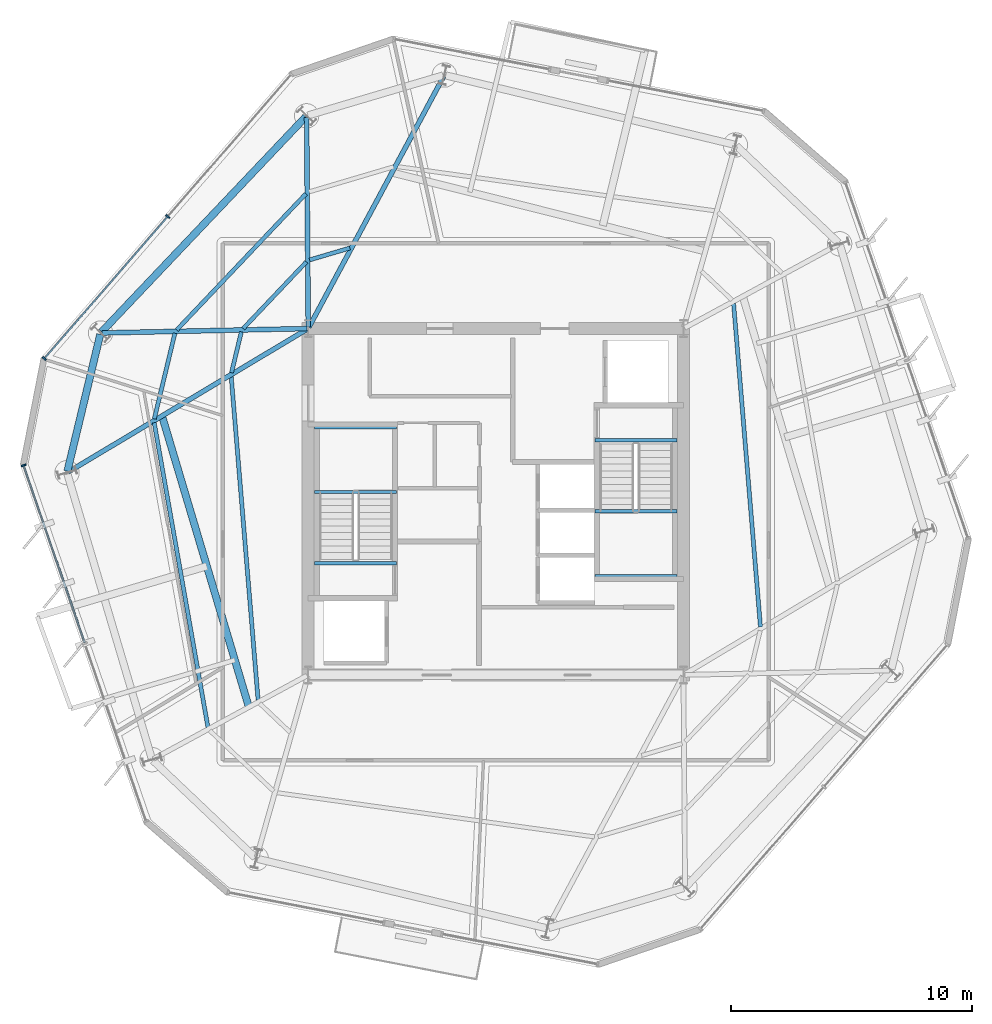
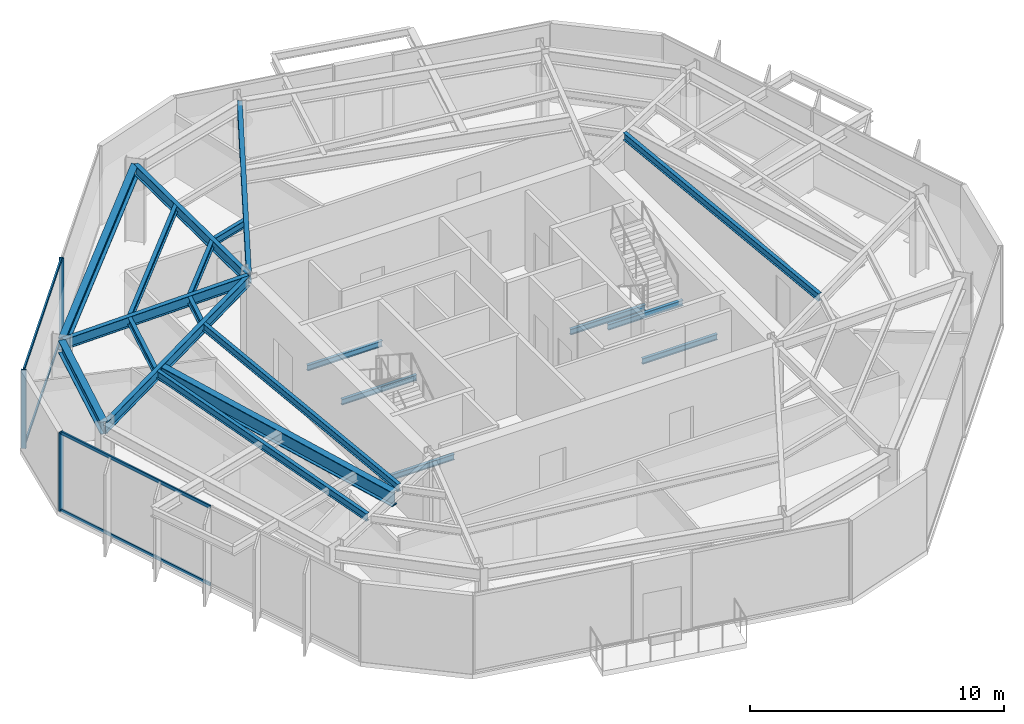
# One storey, part 3 of 11: 21 beams, 7 members, 2 elements without a shape of their own.
"""IFC4 building model written with IfcOpenShell, lengths in metres."""

import ifcopenshell
import ifcopenshell.guid

model = None  # the IFC model being written
_history = None  # IfcOwnerHistory: only IFC2X3 demands one
_inside = {}  # id of a spatial element -> (the spatial element, [elements in it])
_under = {}  # id of a project, library or spatial element -> (it, [spatial elements below it])
_declared = {}  # id of a project -> (the project, [libraries it declares])
_typed = {}  # id of a type object -> (the type object, [elements of that type])
_made_of = {}  # id of a material, layer set ... -> (it, [elements and type objects made of it])


def new_model(schema):
    """Start an empty IFC model of exactly this schema.

    Asked for "IFC4X3", IfcOpenShell would pick the latest addendum, in which some entities
    have other attributes; the version numbers below select the first issue.
    IFC2X3 requires an IfcOwnerHistory on every rooted entity: one is made here for all.
    """
    global model, _history
    if schema == "IFC4X3":
        model = ifcopenshell.file(schema_version=(4, 3, 0, 0))
    else:
        model = ifcopenshell.file(schema=schema)
    _inside.clear()
    _under.clear()
    _declared.clear()
    _typed.clear()
    _made_of.clear()
    _history = None
    if model.schema == "IFC2X3":
        org = make("IfcOrganization", Name="unknown")
        user = make(
            "IfcPersonAndOrganization",
            ThePerson=make("IfcPerson", FamilyName="unknown"),
            TheOrganization=org,
        )
        app = make(
            "IfcApplication",
            ApplicationDeveloper=org,
            Version="unknown",
            ApplicationFullName="unknown",
            ApplicationIdentifier="unknown",
        )
        _history = make(
            "IfcOwnerHistory",
            OwningUser=user,
            OwningApplication=app,
            ChangeAction="ADDED",
            CreationDate=0,
        )
    return model


def make(cls, **values):
    """One entity of the class cls with the attributes given. An attribute that is None is left unset."""
    return model.create_entity(
        cls, **{name: value for name, value in values.items() if value is not None}
    )


def rooted(cls, **values):
    """An entity with a GlobalId (a new one), such as an element, a storey or a relation."""
    return make(cls, GlobalId=ifcopenshell.guid.new(), OwnerHistory=_history, **values)


def si_unit(unit_type, name, prefix=None):
    """IfcSIUnit, for example si_unit("LENGTHUNIT", "METRE", prefix="MILLI")."""
    return make("IfcSIUnit", UnitType=unit_type, Prefix=prefix, Name=name)


def assignment(units):
    """IfcUnitAssignment: the units of a project."""
    return None if units is None else make("IfcUnitAssignment", Units=units)


def point(xyz):
    """IfcCartesianPoint."""
    return None if xyz is None else make("IfcCartesianPoint", Coordinates=xyz)


def direction(xyz):
    """IfcDirection."""
    return None if xyz is None else make("IfcDirection", DirectionRatios=xyz)


def frame(location, z_axis=None, x_axis=None):
    """IfcAxis2Placement3D, a coordinate frame: its origin and axes. An axis left out is left unset."""
    return make(
        "IfcAxis2Placement3D",
        Location=point(location),
        Axis=direction(z_axis),
        RefDirection=direction(x_axis),
    )


def frame_2d(location, x_axis=None):
    """IfcAxis2Placement2D, a coordinate frame in the plane: its origin and x axis."""
    return make(
        "IfcAxis2Placement2D", Location=point(location), RefDirection=direction(x_axis)
    )


def origin():
    """The frame at (0, 0, 0) with its axes left unset."""
    return frame((0.0, 0.0, 0.0))


def origin_2d():
    """The frame at (0, 0) in the plane with its x axis left unset."""
    return frame_2d((0.0, 0.0))


def place(relative_to, where):
    """IfcLocalPlacement: puts the frame where relative to a parent placement (None: the world)."""
    return make(
        "IfcLocalPlacement", PlacementRelTo=relative_to, RelativePlacement=where
    )


def context(
    kind, dimensions, precision=None, world=None, true_north=None, identifier=None
):
    """IfcGeometricRepresentationContext, for example the 3D "Model" context."""
    return make(
        "IfcGeometricRepresentationContext",
        ContextIdentifier=identifier,
        ContextType=kind,
        CoordinateSpaceDimension=dimensions,
        Precision=precision,
        WorldCoordinateSystem=world,
        TrueNorth=true_north,
    )


def subcontext(parent, identifier, kind, view, scale=None):
    """IfcGeometricRepresentationSubContext, for example "Body" below "Model"."""
    return make(
        "IfcGeometricRepresentationSubContext",
        ContextIdentifier=identifier,
        ContextType=kind,
        ParentContext=parent,
        TargetScale=scale,
        TargetView=view,
    )


def project(units=None, contexts=None):
    """IfcProject with its units and contexts."""
    return rooted(
        "IfcProject",
        Name="project",
        RepresentationContexts=contexts,
        UnitsInContext=assignment(units),
    )


def spatial(cls, under=None, at=None, **own):
    """A site, building, storey or space (cls), placed at a placement, below another one or the project."""
    s = rooted(cls, ObjectPlacement=at, **own)
    if under is not None:
        _under.setdefault(under.id(), (under, []))[1].append(s)
    return s


def profile(cls, at=None, kind="AREA", **sizes):
    """A parametric profile (cls). Its sizes go by their IFC names, for example OverallWidth=200.0."""
    return make(cls, ProfileType=kind, Position=at, **sizes)


def rectangle(**sizes):
    """IfcRectangleProfileDef."""
    return profile("IfcRectangleProfileDef", **sizes)


def i_section(**sizes):
    """IfcIShapeProfileDef."""
    return profile("IfcIShapeProfileDef", **sizes)


def extrude(swept, where, along, depth):
    """IfcExtrudedAreaSolid: the profile swept, set in the frame where, extruded along a direction by depth."""
    return make(
        "IfcExtrudedAreaSolid",
        SweptArea=swept,
        Position=where,
        ExtrudedDirection=direction(along),
        Depth=depth,
    )


def shape(context_of_items, identifier, shape_type, items):
    """IfcShapeRepresentation: the items that make up one representation, for example the "Body"."""
    return make(
        "IfcShapeRepresentation",
        ContextOfItems=context_of_items,
        RepresentationIdentifier=identifier,
        RepresentationType=shape_type,
        Items=items,
    )


def material(Name=None, Category=None):
    """IfcMaterial."""
    return make("IfcMaterial", Name=Name, Category=Category)


def layer(
    of_material, thickness, ventilated=None, Name=None, Category=None, Priority=None
):
    """IfcMaterialLayer: one layer of a wall or slab, of a material (None: an air gap)."""
    return make(
        "IfcMaterialLayer",
        Material=of_material,
        LayerThickness=thickness,
        IsVentilated=ventilated,
        Name=Name,
        Category=Category,
        Priority=Priority,
    )


def layer_set(layers, Name=None):
    """IfcMaterialLayerSet."""
    return make("IfcMaterialLayerSet", MaterialLayers=layers, LayerSetName=Name)


def material_profile(
    of_material, cross_section, Name=None, Category=None, Priority=None
):
    """IfcMaterialProfile: a cross section and its material."""
    return make(
        "IfcMaterialProfile",
        Name=Name,
        Material=of_material,
        Profile=cross_section,
        Priority=Priority,
        Category=Category,
    )


def profile_set(profiles, Name=None, composite=None):
    """IfcMaterialProfileSet."""
    return make(
        "IfcMaterialProfileSet",
        Name=Name,
        MaterialProfiles=profiles,
        CompositeProfile=composite,
    )


def made_of(thing, what):
    """Note that an element or type object is made of a material, layer set ...; save() writes the relation."""
    if what is not None:
        _made_of.setdefault(what.id(), (what, []))[1].append(thing)
    return thing


def type_object(cls, material=None, **own):
    """A type object (cls), such as IfcWallType, which elements share."""
    return made_of(rooted(cls, **own), material)


def element(
    cls,
    number,
    at=None,
    inside=None,
    cuts=None,
    type_object=None,
    material=None,
    context=None,
    identifier="Body",
    shape_type=None,
    held_by="IfcProductDefinitionShape",
    body=None,
    shapes=None,
    **own,
):
    """One element of the class cls, such as IfcWall. Its Tag is "e" and its number.

    at: its placement. inside: the storey or other place that contains it. cuts: it is an
    opening in that element (IfcRelVoidsElement). A single representation is given by context,
    identifier, shape_type and body (its items); several are given by shapes. held_by: the class
    of the entity that holds the representations. save() writes the other relations.
    """
    e = rooted(cls, Tag="e%d" % number, ObjectPlacement=at, **own)
    if body is not None:
        shapes = [shape(context, identifier, shape_type, body)]
    if shapes is not None:
        e.Representation = make(held_by, Representations=shapes)
    if inside is not None:
        _inside.setdefault(inside.id(), (inside, []))[1].append(e)
    if cuts is not None:
        rooted(
            "IfcRelVoidsElement", RelatingBuildingElement=cuts, RelatedOpeningElement=e
        )
    if type_object is not None:
        _typed.setdefault(type_object.id(), (type_object, []))[1].append(e)
    return made_of(e, material)


def aggregate(whole, parts):
    """IfcRelAggregates: a whole, such as a stair, and the parts it consists of."""
    return rooted("IfcRelAggregates", RelatingObject=whole, RelatedObjects=parts)


def save(model, path):
    """Write the relations noted so far, then the file.

    IfcRelAggregates (storeys below a building ...), IfcRelContainedInSpatialStructure (elements
    in a storey), IfcRelDefinesByType, IfcRelAssociatesMaterial and IfcRelDeclares: one each for
    every whole, place, type object, material and project.
    """
    for whole, parts in _under.values():
        aggregate(whole, parts)
    for where, things in _inside.values():
        rooted(
            "IfcRelContainedInSpatialStructure",
            RelatedElements=things,
            RelatingStructure=where,
        )
    for kind, things in _typed.values():
        rooted("IfcRelDefinesByType", RelatedObjects=things, RelatingType=kind)
    for what, things in _made_of.values():
        rooted("IfcRelAssociatesMaterial", RelatedObjects=things, RelatingMaterial=what)
    for by, libraries in _declared.values():
        rooted("IfcRelDeclares", RelatingContext=by, RelatedDefinitions=libraries)
    model.write(path)


model = new_model("IFC4")

# Units and contexts
model_context = context("Model", 3, precision=1e-05, world=origin(), true_north=direction((0.0, 1.0)))
body_context = subcontext(model_context, "Body", "Model", "MODEL_VIEW")
ifc_project = project(units=[si_unit("LENGTHUNIT", "METRE"), si_unit("AREAUNIT", "SQUARE_METRE"), si_unit("VOLUMEUNIT", "CUBIC_METRE"), si_unit("PLANEANGLEUNIT", "RADIAN"), si_unit("MASSUNIT", "GRAM", prefix="KILO")], contexts=[model_context])

# Site, building, storey
site_placement = place(None, origin())
site = spatial("IfcSite", under=ifc_project, at=site_placement, CompositionType="ELEMENT")
building_placement = place(site_placement, origin())
building = spatial("IfcBuilding", under=site, at=building_placement, Name="Kranzbogen Civic Tower", CompositionType="ELEMENT")
storey_placement = place(building_placement, frame((0.0, 0.0, 220.800048828125)))
storey = spatial("IfcBuildingStorey", under=building, at=storey_placement, Name="L53", CompositionType="ELEMENT", Elevation=220.800048828125)

# Curtain wall, members
ifc_material_1 = material(Name="Pale Anodised Aluminium", Category="aluminium")
ifc_layer = layer(ifc_material_1, 0.219970703125, Name="Pale Anodised Aluminium")
ifc_layer_set = layer_set([ifc_layer], Name="Pale Anodised Aluminium")
curtain_wall_type = type_object("IfcCurtainWallType", Name="Zone 3 Stick Curtain Wall System CW-04", PredefinedType="USERDEFINED", material=ifc_layer_set)
curtain_wall_1_placement = place(storey_placement, origin())
curtain_wall_1 = element("IfcCurtainWall", 1, at=curtain_wall_1_placement, inside=storey, type_object=curtain_wall_type, Name="L53 curtain wall CW-L53-F2", ObjectType="STICK CURTAIN WALL", PredefinedType="USERDEFINED")
ifc_material_profile_1 = material_profile(ifc_material_1, rectangle(XDim=0.070068359375, YDim=0.199951171875, at=origin_2d()), Name="ALU-M 70x200")
ifc_profile_set_1 = profile_set([ifc_material_profile_1], Name="Pale Anodised Aluminium")
member_type_1 = type_object("IfcMemberType", Name="Curtain Wall Mullion ALU-M 70x200", PredefinedType="MULLION", material=ifc_profile_set_1)
member_1_placement = place(storey_placement, frame((11.361572265625, 36.8564453125, 0.0), z_axis=(0.0, 0.0, 1.0), x_axis=(-0.656044731829, -0.754722008318, 0.0)))
member_1 = element("IfcMember", 2, at=member_1_placement, type_object=member_type_1, Name="CW-04 mullion 2", PredefinedType="MULLION", context=body_context, shape_type="SweptSolid", body=[
    extrude(rectangle(XDim=0.070068359375, YDim=0.199951171875, at=origin_2d()), origin(), (0.0, 0.0, 1.0), 3.780029296875),
])
member_2_placement = place(storey_placement, frame((6.228759765625, 30.95166015625, 0.0), z_axis=(0.0, 0.0, 1.0), x_axis=(-0.656044731829, -0.754722008318, 0.0)))
member_2 = element("IfcMember", 3, at=member_2_placement, type_object=member_type_1, Name="CW-04 mullion 3", PredefinedType="MULLION", context=body_context, shape_type="SweptSolid", body=[
    extrude(rectangle(XDim=0.070068359375, YDim=0.199951171875, at=origin_2d()), origin(), (0.0, 0.0, 1.0), 3.780029296875),
])

# Curtain wall, member
curtain_wall_2_placement = place(storey_placement, origin())
curtain_wall_2 = element("IfcCurtainWall", 4, at=curtain_wall_2_placement, inside=storey, type_object=curtain_wall_type, Name="L53 curtain wall CW-L53-F3", ObjectType="STICK CURTAIN WALL", PredefinedType="USERDEFINED")
member_3_placement = place(storey_placement, frame((5.36572265625, 26.513671875, 0.0), z_axis=(0.0, 0.0, 1.0), x_axis=(0.325590387457, -0.945510919871, 0.0)))
member_3 = element("IfcMember", 5, at=member_3_placement, type_object=member_type_1, Name="CW-04 mullion 1", PredefinedType="MULLION", context=body_context, shape_type="SweptSolid", body=[
    extrude(rectangle(XDim=0.070068359375, YDim=0.199951171875, at=origin_2d()), origin(), (0.0, 0.0, 1.0), 3.780029296875),
])

# Member
ifc_material_profile_2 = material_profile(ifc_material_1, rectangle(XDim=0.070068359375, YDim=0.14990234375, at=origin_2d()), Name="ALU-T 70x150")
ifc_profile_set_2 = profile_set([ifc_material_profile_2], Name="Pale Anodised Aluminium")
member_type_2 = type_object("IfcMemberType", Name="Curtain Wall Transom ALU-T 70x150", PredefinedType="USERDEFINED", material=ifc_profile_set_2)
member_4_placement = place(storey_placement, frame((11.341796875, 36.833740234375, 0.030029296875), z_axis=(-0.65606114776, -0.7547077384, 0.0), x_axis=(0.7547077384, -0.65606114776, 0.0)))
member_4 = element("IfcMember", 6, at=member_4_placement, type_object=member_type_2, Name="CW-04 transom 2.1", ObjectType="TRANSOM", PredefinedType="USERDEFINED", context=body_context, shape_type="SweptSolid", body=[
    extrude(rectangle(XDim=0.070068359375, YDim=0.14990234375, at=origin_2d()), origin(), (0.0, 0.0, 1.0), 7.763671875),
])

member_5_placement = place(storey_placement, frame((11.341796875, 36.833740234375, 3.75), z_axis=(-0.65606114776, -0.7547077384, 0.0), x_axis=(0.7547077384, -0.65606114776, 0.0)))
member_5 = element("IfcMember", 7, at=member_5_placement, type_object=member_type_2, Name="CW-04 transom 2.2", ObjectType="TRANSOM", PredefinedType="USERDEFINED", context=body_context, shape_type="SweptSolid", body=[
    extrude(rectangle(XDim=0.070068359375, YDim=0.14990234375, at=origin_2d()), origin(), (0.0, 0.0, 1.0), 7.763671875),
])

aggregate(curtain_wall_1, [member_1, member_2, member_4, member_5])

member_6_placement = place(storey_placement, frame((5.37548828125, 26.4853515625, 0.030029296875), z_axis=(0.325599125574, -0.945507910821, 0.0), x_axis=(0.945507910821, 0.325599125574, 0.0)))
member_6 = element("IfcMember", 8, at=member_6_placement, type_object=member_type_2, Name="CW-04 transom 1.1", ObjectType="TRANSOM", PredefinedType="USERDEFINED", context=body_context, shape_type="SweptSolid", body=[
    extrude(rectangle(XDim=0.070068359375, YDim=0.14990234375, at=origin_2d()), origin(), (0.0, 0.0, 1.0), 7.763671875),
])

member_7_placement = place(storey_placement, frame((5.37548828125, 26.4853515625, 3.75), z_axis=(0.325599125574, -0.945507910821, 0.0), x_axis=(0.945507910821, 0.325599125574, 0.0)))
member_7 = element("IfcMember", 9, at=member_7_placement, type_object=member_type_2, Name="CW-04 transom 1.2", ObjectType="TRANSOM", PredefinedType="USERDEFINED", context=body_context, shape_type="SweptSolid", body=[
    extrude(rectangle(XDim=0.070068359375, YDim=0.14990234375, at=origin_2d()), origin(), (0.0, 0.0, 1.0), 7.763671875),
])

aggregate(curtain_wall_2, [member_3, member_6, member_7])

# Beams
ifc_material_2 = material(Name="Steel S355", Category="steel")
ifc_material_profile_3 = material_profile(ifc_material_2, i_section(OverallWidth=0.300048828125, OverallDepth=0.60009765625, WebThickness=0.015380859375, FlangeThickness=0.030029296875, at=origin_2d()), Name="HEB 600")
ifc_profile_set_3 = profile_set([ifc_material_profile_3], Name="Steel S355")
beam_type_1 = type_object("IfcBeamType", Name="Perimeter Tube Spandrel Beam HEB 600", PredefinedType="SPANDREL", material=ifc_profile_set_3)
beam_1_placement = place(storey_placement, frame((17.092041015625, 41.0, 3.47998046875), z_axis=(-0.688373497874, -0.725356414065, 0.0), x_axis=(0.725356414065, -0.688373497874, 0.0)))
element("IfcBeam", 10, at=beam_1_placement, inside=storey, type_object=beam_type_1, Name="L53 perimeter spandrel beam 10", PredefinedType="SPANDREL", context=body_context, shape_type="SweptSolid", body=[
    extrude(i_section(OverallWidth=0.300048828125, OverallDepth=0.60009765625, WebThickness=0.015380859375, FlangeThickness=0.030029296875, at=origin_2d()), origin(), (0.0, 0.0, 1.0), 12.324951171875),
])
beam_2_placement = place(storey_placement, frame((8.552978515625, 31.9580078125, 3.47998046875), z_axis=(-0.233554380434, -0.972343741369, 0.0), x_axis=(0.972343741369, -0.233554380434, 0.0)))
element("IfcBeam", 11, at=beam_2_placement, inside=storey, type_object=beam_type_1, Name="L53 perimeter spandrel beam 11", PredefinedType="SPANDREL", context=body_context, shape_type="SweptSolid", body=[
    extrude(i_section(OverallWidth=0.300048828125, OverallDepth=0.60009765625, WebThickness=0.015380859375, FlangeThickness=0.030029296875, at=origin_2d()), origin(), (0.0, 0.0, 1.0), 5.852783203125),
])
ifc_material_profile_4 = material_profile(ifc_material_2, i_section(OverallWidth=0.300048828125, OverallDepth=0.699951171875, WebThickness=0.01708984375, FlangeThickness=0.031982421875, at=origin_2d()), Name="HEB 700")
ifc_profile_set_4 = profile_set([ifc_material_profile_4], Name="Steel S355")
beam_type_2 = type_object("IfcBeamType", Name="Perimeter Tube Spandrel Beam HEB 700", PredefinedType="SPANDREL", material=ifc_profile_set_4)
beam_3_placement = place(storey_placement, frame((11.12109375, 28.568115234375, 3.39990234375), z_axis=(0.285870808606, -0.95826816747, 0.0), x_axis=(0.95826816747, 0.285870808606, 0.0)))
element("IfcBeam", 12, at=beam_3_placement, inside=storey, type_object=beam_type_2, Name="L54 balcony back-span header girder L54-TB1", PredefinedType="SPANDREL", context=body_context, shape_type="SweptSolid", body=[
    extrude(i_section(OverallWidth=0.300048828125, OverallDepth=0.699951171875, WebThickness=0.01708984375, FlangeThickness=0.031982421875, at=origin_2d()), origin(), (0.0, 0.0, 1.0), 12.634521484375),
])
ifc_material_profile_5 = material_profile(ifc_material_2, i_section(OverallWidth=0.199951171875, OverallDepth=0.5, WebThickness=0.01025390625, FlangeThickness=0.01611328125, at=origin_2d()), Name="IPE 500")
ifc_profile_set_5 = profile_set([ifc_material_profile_5], Name="Steel S355")
beam_type_3 = type_object("IfcBeamType", Name="Radial Tower Floor Girder IPE 500", PredefinedType="BEAM", material=ifc_profile_set_5)
beam_4_placement = place(storey_placement, frame((22.83203125, 42.68701171875, 3.530029296875), z_axis=(-0.473160413549, -0.880976289721, 0.0), x_axis=(0.880976289721, -0.473160413549, 0.0)))
element("IfcBeam", 13, at=beam_4_placement, inside=storey, type_object=beam_type_3, Name="L53 radial floor girder 09", PredefinedType="BEAM", context=body_context, shape_type="SweptSolid", body=[
    extrude(i_section(OverallWidth=0.199951171875, OverallDepth=0.5, WebThickness=0.01025390625, FlangeThickness=0.01611328125, at=origin_2d()), origin(), (0.0, 0.0, 1.0), 11.84375),
])
beam_5_placement = place(storey_placement, frame((17.133056640625, 40.98388671875, 3.530029296875), z_axis=(0.007667756557, -0.999970602323, 0.0), x_axis=(0.999970602323, 0.007667756557, 0.0)))
element("IfcBeam", 14, at=beam_5_placement, inside=storey, type_object=beam_type_3, Name="L53 radial floor girder 10", PredefinedType="BEAM", context=body_context, shape_type="SweptSolid", body=[
    extrude(i_section(OverallWidth=0.199951171875, OverallDepth=0.5, WebThickness=0.01025390625, FlangeThickness=0.01611328125, at=origin_2d()), origin(), (0.0, 0.0, 1.0), 8.72412109375),
])
beam_6_placement = place(storey_placement, frame((8.626953125, 32.01708984375, 3.530029296875), z_axis=(0.99977183191, 0.021360808018, 0.0), x_axis=(-0.021360808018, 0.99977183191, 0.0)))
element("IfcBeam", 15, at=beam_6_placement, inside=storey, type_object=beam_type_3, Name="L53 radial floor girder 11", PredefinedType="BEAM", context=body_context, shape_type="SweptSolid", body=[
    extrude(i_section(OverallWidth=0.199951171875, OverallDepth=0.5, WebThickness=0.01025390625, FlangeThickness=0.01611328125, at=origin_2d()), origin(), (0.0, 0.0, 1.0), 8.514892578125),
])
beam_7_placement = place(storey_placement, frame((7.22412109375, 26.239990234375, 3.530029296875), z_axis=(0.858458551809, 0.512882944565, 0.0), x_axis=(-0.512882944565, 0.858458551809, 0.0)))
element("IfcBeam", 16, at=beam_7_placement, inside=storey, type_object=beam_type_3, Name="L53 radial floor girder 12", PredefinedType="BEAM", context=body_context, shape_type="SweptSolid", body=[
    extrude(i_section(OverallWidth=0.199951171875, OverallDepth=0.5, WebThickness=0.01025390625, FlangeThickness=0.01611328125, at=origin_2d()), origin(), (0.0, 0.0, 1.0), 11.56005859375),
])
ifc_material_profile_6 = material_profile(ifc_material_2, i_section(OverallWidth=0.169921875, OverallDepth=0.360107421875, WebThickness=0.008056640625, FlangeThickness=0.0126953125, at=origin_2d()), Name="IPE 360")
ifc_profile_set_6 = profile_set([ifc_material_profile_6], Name="Steel S355")
beam_type_4 = type_object("IfcBeamType", Name="Secondary Composite Floor Joist IPE 360", PredefinedType="JOIST", material=ifc_profile_set_6)
beam_8_placement = place(storey_placement, frame((36.001953125, 19.797119140625, 3.599853515625), z_axis=(-0.082825426692, 0.996564071544, 0.0), x_axis=(-0.996564071544, -0.082825426692, 0.0)))
element("IfcBeam", 17, at=beam_8_placement, inside=storey, type_object=beam_type_4, Name="L53 secondary floor joist 2.06", PredefinedType="JOIST", context=body_context, shape_type="SweptSolid", body=[
    extrude(i_section(OverallWidth=0.169921875, OverallDepth=0.360107421875, WebThickness=0.008056640625, FlangeThickness=0.0126953125, at=origin_2d()), origin(), (0.0, 0.0, 1.0), 13.497314453125),
])
beam_9_placement = place(storey_placement, frame((18.93408203125, 35.550048828125, 3.599853515625), z_axis=(-0.958871214757, -0.283841493638, 0.0), x_axis=(0.283841493638, -0.958871214757, 0.0)))
element("IfcBeam", 18, at=beam_9_placement, inside=storey, type_object=beam_type_4, Name="L53 secondary floor joist 2.09", PredefinedType="JOIST", context=body_context, shape_type="SweptSolid", body=[
    extrude(i_section(OverallWidth=0.169921875, OverallDepth=0.360107421875, WebThickness=0.008056640625, FlangeThickness=0.0126953125, at=origin_2d()), origin(), (0.0, 0.0, 1.0), 1.751220703125),
])
beam_10_placement = place(storey_placement, frame((17.10205078125, 37.802001953125, 3.599853515625), z_axis=(-0.688282381634, -0.725442873789, 0.0), x_axis=(0.725442873789, -0.688282381634, 0.0)))
element("IfcBeam", 19, at=beam_10_placement, inside=storey, type_object=beam_type_4, Name="L53 secondary floor joist 1.10", PredefinedType="JOIST", context=body_context, shape_type="SweptSolid", body=[
    extrude(i_section(OverallWidth=0.169921875, OverallDepth=0.360107421875, WebThickness=0.008056640625, FlangeThickness=0.0126953125, at=origin_2d()), origin(), (0.0, 0.0, 1.0), 7.804931640625),
])
beam_11_placement = place(storey_placement, frame((17.123046875, 34.971923828125, 3.599853515625), z_axis=(-0.688175084876, -0.725544659243, 0.0), x_axis=(0.725544659243, -0.688175084876, 0.0)))
element("IfcBeam", 20, at=beam_11_placement, inside=storey, type_object=beam_type_4, Name="L53 secondary floor joist 2.10", PredefinedType="JOIST", context=body_context, shape_type="SweptSolid", body=[
    extrude(i_section(OverallWidth=0.169921875, OverallDepth=0.360107421875, WebThickness=0.008056640625, FlangeThickness=0.0126953125, at=origin_2d()), origin(), (0.0, 0.0, 1.0), 3.82177734375),
])
beam_12_placement = place(storey_placement, frame((11.656005859375, 32.00390625, 3.599853515625), z_axis=(-0.233534367714, -0.972348548154, 0.0), x_axis=(0.972348548154, -0.233534367714, 0.0)))
element("IfcBeam", 21, at=beam_12_placement, inside=storey, type_object=beam_type_4, Name="L53 secondary floor joist 1.11", PredefinedType="JOIST", context=body_context, shape_type="SweptSolid", body=[
    extrude(i_section(OverallWidth=0.169921875, OverallDepth=0.360107421875, WebThickness=0.008056640625, FlangeThickness=0.0126953125, at=origin_2d()), origin(), (0.0, 0.0, 1.0), 3.6611328125),
])
beam_13_placement = place(storey_placement, frame((14.4189453125, 32.06298828125, 3.599853515625), z_axis=(-0.233631438607, -0.972325228972, 0.0), x_axis=(0.972325228972, -0.233631438607, 0.0)))
element("IfcBeam", 22, at=beam_13_placement, inside=storey, type_object=beam_type_4, Name="L53 secondary floor joist 2.11", PredefinedType="JOIST", context=body_context, shape_type="SweptSolid", body=[
    extrude(i_section(OverallWidth=0.169921875, OverallDepth=0.360107421875, WebThickness=0.008056640625, FlangeThickness=0.0126953125, at=origin_2d()), origin(), (0.0, 0.0, 1.0), 1.750244140625),
])
beam_14_placement = place(storey_placement, frame((10.7958984375, 28.287109375, 3.599853515625), z_axis=(0.173805911364, -0.984779927281, 0.0), x_axis=(0.984779927281, 0.173805911364, 0.0)))
element("IfcBeam", 23, at=beam_14_placement, inside=storey, type_object=beam_type_4, Name="L53 secondary floor joist 1.12", PredefinedType="JOIST", context=body_context, shape_type="SweptSolid", body=[
    extrude(i_section(OverallWidth=0.169921875, OverallDepth=0.360107421875, WebThickness=0.008056640625, FlangeThickness=0.0126953125, at=origin_2d()), origin(), (0.0, 0.0, 1.0), 12.85986328125),
])
beam_15_placement = place(storey_placement, frame((13.998046875, 30.202880859375, 3.599853515625), z_axis=(0.082825426692, -0.996564071544, 0.0), x_axis=(0.996564071544, 0.082825426692, 0.0)))
element("IfcBeam", 24, at=beam_15_placement, inside=storey, type_object=beam_type_4, Name="L53 secondary floor joist 2.12", PredefinedType="JOIST", context=body_context, shape_type="SweptSolid", body=[
    extrude(i_section(OverallWidth=0.169921875, OverallDepth=0.360107421875, WebThickness=0.008056640625, FlangeThickness=0.0126953125, at=origin_2d()), origin(), (0.0, 0.0, 1.0), 13.497314453125),
])
ifc_material_profile_7 = material_profile(ifc_material_2, i_section(OverallWidth=0.135009765625, OverallDepth=0.27001953125, WebThickness=0.006591796875, FlangeThickness=0.01025390625, at=origin_2d()), Name="IPE 270")
ifc_profile_set_7 = profile_set([ifc_material_profile_7], Name="Steel S355")
beam_type_5 = type_object("IfcBeamType", Name="Stair Landing Support Beam IPE 270", PredefinedType="JOIST", material=ifc_profile_set_7)
for number, where, z_axis, x_axis, name in (
    (25, (20.8798828125, 22.43994140625, -0.35498046875), (-1.0, 0.0, 0.0), (0.0, -1.0, 0.0), "L53 ST-T1 stair floor header beam"),
    (26, (20.8798828125, 25.39990234375, 1.6650390625), (-1.0, 0.0, 0.0), (0.0, -1.0, 0.0), "L53 ST-T1 landing support beam 1.1"),
    (27, (20.8798828125, 28.10009765625, 1.6650390625), (-1.0, 0.0, 0.0), (0.0, -1.0, 0.0), "L53 ST-T1 landing support beam 1.2"),
    (28, (29.1201171875, 27.56005859375, -0.35498046875), (1.0, 0.0, 0.0), (0.0, 1.0, 0.0), "L53 ST-T2 stair floor header beam"),
    (29, (29.1201171875, 24.60009765625, 1.6650390625), (1.0, 0.0, 0.0), (0.0, 1.0, 0.0), "L53 ST-T2 landing support beam 1.1"),
    (30, (29.1201171875, 21.89990234375, 1.6650390625), (1.0, 0.0, 0.0), (0.0, 1.0, 0.0), "L53 ST-T2 landing support beam 1.2"),
):
    element("IfcBeam", number, at=place(storey_placement, frame(where, z_axis=z_axis, x_axis=x_axis)), inside=storey, type_object=beam_type_5, Name=name, PredefinedType="JOIST", context=body_context, shape_type="SweptSolid", body=[
        extrude(i_section(OverallWidth=0.135009765625, OverallDepth=0.27001953125, WebThickness=0.006591796875, FlangeThickness=0.01025390625, at=origin_2d()), origin(), (0.0, 0.0, 1.0), 3.409912109375),
    ])

save(model, "model.ifc")
